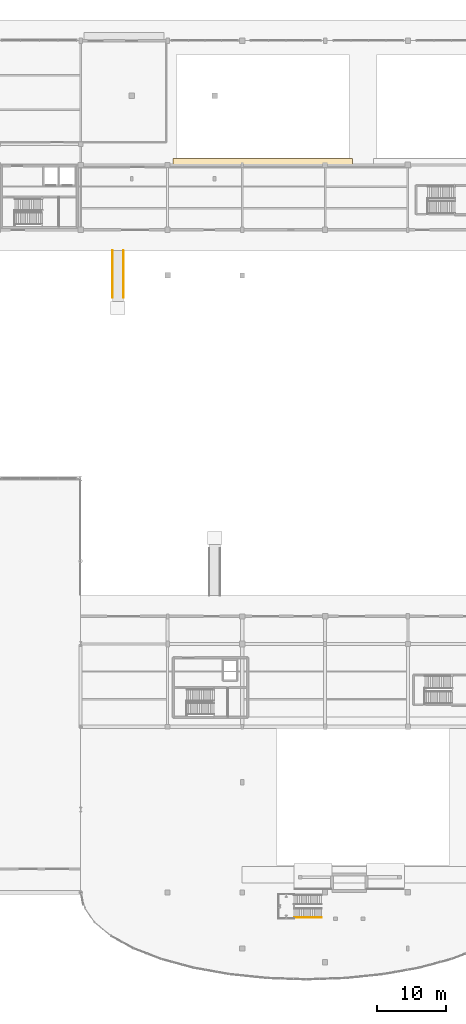
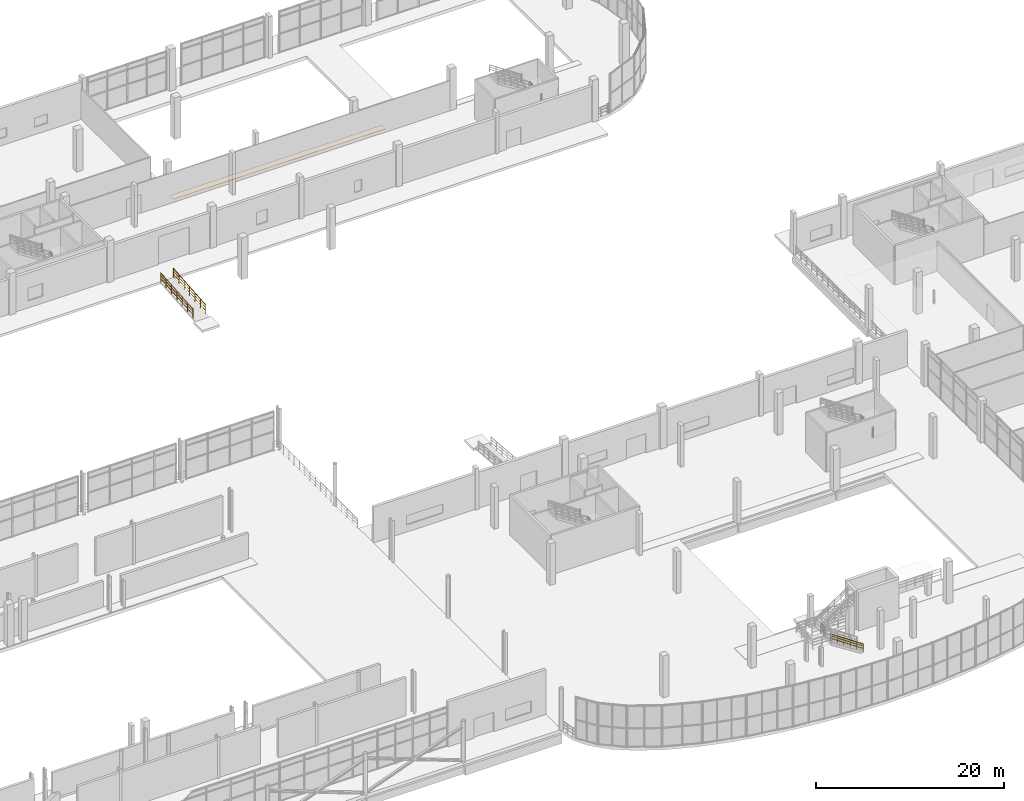
# One storey, part 78 of 85: 3 railings, 1 covering.
"""IFC4 building model written with IfcOpenShell, lengths in metres."""

import ifcopenshell
import ifcopenshell.guid

model = None  # the IFC model being written
_history = None  # IfcOwnerHistory: only IFC2X3 demands one
_inside = {}  # id of a spatial element -> (the spatial element, [elements in it])
_under = {}  # id of a project, library or spatial element -> (it, [spatial elements below it])
_declared = {}  # id of a project -> (the project, [libraries it declares])
_typed = {}  # id of a type object -> (the type object, [elements of that type])
_made_of = {}  # id of a material, layer set ... -> (it, [elements and type objects made of it])


def new_model(schema):
    """Start an empty IFC model of exactly this schema.

    Asked for "IFC4X3", IfcOpenShell would pick the latest addendum, in which some entities
    have other attributes; the version numbers below select the first issue.
    IFC2X3 requires an IfcOwnerHistory on every rooted entity: one is made here for all.
    """
    global model, _history
    if schema == "IFC4X3":
        model = ifcopenshell.file(schema_version=(4, 3, 0, 0))
    else:
        model = ifcopenshell.file(schema=schema)
    _inside.clear()
    _under.clear()
    _declared.clear()
    _typed.clear()
    _made_of.clear()
    _history = None
    if model.schema == "IFC2X3":
        org = make("IfcOrganization", Name="unknown")
        user = make(
            "IfcPersonAndOrganization",
            ThePerson=make("IfcPerson", FamilyName="unknown"),
            TheOrganization=org,
        )
        app = make(
            "IfcApplication",
            ApplicationDeveloper=org,
            Version="unknown",
            ApplicationFullName="unknown",
            ApplicationIdentifier="unknown",
        )
        _history = make(
            "IfcOwnerHistory",
            OwningUser=user,
            OwningApplication=app,
            ChangeAction="ADDED",
            CreationDate=0,
        )
    return model


def make(cls, **values):
    """One entity of the class cls with the attributes given. An attribute that is None is left unset."""
    return model.create_entity(
        cls, **{name: value for name, value in values.items() if value is not None}
    )


def rooted(cls, **values):
    """An entity with a GlobalId (a new one), such as an element, a storey or a relation."""
    return make(cls, GlobalId=ifcopenshell.guid.new(), OwnerHistory=_history, **values)


def si_unit(unit_type, name, prefix=None):
    """IfcSIUnit, for example si_unit("LENGTHUNIT", "METRE", prefix="MILLI")."""
    return make("IfcSIUnit", UnitType=unit_type, Prefix=prefix, Name=name)


def assignment(units):
    """IfcUnitAssignment: the units of a project."""
    return None if units is None else make("IfcUnitAssignment", Units=units)


def point(xyz):
    """IfcCartesianPoint."""
    return None if xyz is None else make("IfcCartesianPoint", Coordinates=xyz)


def direction(xyz):
    """IfcDirection."""
    return None if xyz is None else make("IfcDirection", DirectionRatios=xyz)


def frame(location, z_axis=None, x_axis=None):
    """IfcAxis2Placement3D, a coordinate frame: its origin and axes. An axis left out is left unset."""
    return make(
        "IfcAxis2Placement3D",
        Location=point(location),
        Axis=direction(z_axis),
        RefDirection=direction(x_axis),
    )


def frame_2d(location, x_axis=None):
    """IfcAxis2Placement2D, a coordinate frame in the plane: its origin and x axis."""
    return make(
        "IfcAxis2Placement2D", Location=point(location), RefDirection=direction(x_axis)
    )


def origin():
    """The frame at (0, 0, 0) with its axes left unset."""
    return frame((0.0, 0.0, 0.0))


def origin_2d():
    """The frame at (0, 0) in the plane with its x axis left unset."""
    return frame_2d((0.0, 0.0))


def place(relative_to, where):
    """IfcLocalPlacement: puts the frame where relative to a parent placement (None: the world)."""
    return make(
        "IfcLocalPlacement", PlacementRelTo=relative_to, RelativePlacement=where
    )


def context(
    kind, dimensions, precision=None, world=None, true_north=None, identifier=None
):
    """IfcGeometricRepresentationContext, for example the 3D "Model" context."""
    return make(
        "IfcGeometricRepresentationContext",
        ContextIdentifier=identifier,
        ContextType=kind,
        CoordinateSpaceDimension=dimensions,
        Precision=precision,
        WorldCoordinateSystem=world,
        TrueNorth=true_north,
    )


def subcontext(parent, identifier, kind, view, scale=None):
    """IfcGeometricRepresentationSubContext, for example "Body" below "Model"."""
    return make(
        "IfcGeometricRepresentationSubContext",
        ContextIdentifier=identifier,
        ContextType=kind,
        ParentContext=parent,
        TargetScale=scale,
        TargetView=view,
    )


def project(units=None, contexts=None):
    """IfcProject with its units and contexts."""
    return rooted(
        "IfcProject",
        Name="project",
        RepresentationContexts=contexts,
        UnitsInContext=assignment(units),
    )


def spatial(cls, under=None, at=None, **own):
    """A site, building, storey or space (cls), placed at a placement, below another one or the project."""
    s = rooted(cls, ObjectPlacement=at, **own)
    if under is not None:
        _under.setdefault(under.id(), (under, []))[1].append(s)
    return s


def profile(cls, at=None, kind="AREA", **sizes):
    """A parametric profile (cls). Its sizes go by their IFC names, for example OverallWidth=200.0."""
    return make(cls, ProfileType=kind, Position=at, **sizes)


def rectangle(**sizes):
    """IfcRectangleProfileDef."""
    return profile("IfcRectangleProfileDef", **sizes)


def circle(**sizes):
    """IfcCircleProfileDef."""
    return profile("IfcCircleProfileDef", **sizes)


def extrude(swept, where, along, depth):
    """IfcExtrudedAreaSolid: the profile swept, set in the frame where, extruded along a direction by depth."""
    return make(
        "IfcExtrudedAreaSolid",
        SweptArea=swept,
        Position=where,
        ExtrudedDirection=direction(along),
        Depth=depth,
    )


def shape(context_of_items, identifier, shape_type, items):
    """IfcShapeRepresentation: the items that make up one representation, for example the "Body"."""
    return make(
        "IfcShapeRepresentation",
        ContextOfItems=context_of_items,
        RepresentationIdentifier=identifier,
        RepresentationType=shape_type,
        Items=items,
    )


def material(Name=None, Category=None):
    """IfcMaterial."""
    return make("IfcMaterial", Name=Name, Category=Category)


def layer(
    of_material, thickness, ventilated=None, Name=None, Category=None, Priority=None
):
    """IfcMaterialLayer: one layer of a wall or slab, of a material (None: an air gap)."""
    return make(
        "IfcMaterialLayer",
        Material=of_material,
        LayerThickness=thickness,
        IsVentilated=ventilated,
        Name=Name,
        Category=Category,
        Priority=Priority,
    )


def layer_set(layers, Name=None):
    """IfcMaterialLayerSet."""
    return make("IfcMaterialLayerSet", MaterialLayers=layers, LayerSetName=Name)


def made_of(thing, what):
    """Note that an element or type object is made of a material, layer set ...; save() writes the relation."""
    if what is not None:
        _made_of.setdefault(what.id(), (what, []))[1].append(thing)
    return thing


def type_object(cls, material=None, **own):
    """A type object (cls), such as IfcWallType, which elements share."""
    return made_of(rooted(cls, **own), material)


def element(
    cls,
    number,
    at=None,
    inside=None,
    cuts=None,
    type_object=None,
    material=None,
    context=None,
    identifier="Body",
    shape_type=None,
    held_by="IfcProductDefinitionShape",
    body=None,
    shapes=None,
    **own,
):
    """One element of the class cls, such as IfcWall. Its Tag is "e" and its number.

    at: its placement. inside: the storey or other place that contains it. cuts: it is an
    opening in that element (IfcRelVoidsElement). A single representation is given by context,
    identifier, shape_type and body (its items); several are given by shapes. held_by: the class
    of the entity that holds the representations. save() writes the other relations.
    """
    e = rooted(cls, Tag="e%d" % number, ObjectPlacement=at, **own)
    if body is not None:
        shapes = [shape(context, identifier, shape_type, body)]
    if shapes is not None:
        e.Representation = make(held_by, Representations=shapes)
    if inside is not None:
        _inside.setdefault(inside.id(), (inside, []))[1].append(e)
    if cuts is not None:
        rooted(
            "IfcRelVoidsElement", RelatingBuildingElement=cuts, RelatedOpeningElement=e
        )
    if type_object is not None:
        _typed.setdefault(type_object.id(), (type_object, []))[1].append(e)
    return made_of(e, material)


def aggregate(whole, parts):
    """IfcRelAggregates: a whole, such as a stair, and the parts it consists of."""
    return rooted("IfcRelAggregates", RelatingObject=whole, RelatedObjects=parts)


def save(model, path):
    """Write the relations noted so far, then the file.

    IfcRelAggregates (storeys below a building ...), IfcRelContainedInSpatialStructure (elements
    in a storey), IfcRelDefinesByType, IfcRelAssociatesMaterial and IfcRelDeclares: one each for
    every whole, place, type object, material and project.
    """
    for whole, parts in _under.values():
        aggregate(whole, parts)
    for where, things in _inside.values():
        rooted(
            "IfcRelContainedInSpatialStructure",
            RelatedElements=things,
            RelatingStructure=where,
        )
    for kind, things in _typed.values():
        rooted("IfcRelDefinesByType", RelatedObjects=things, RelatingType=kind)
    for what, things in _made_of.values():
        rooted("IfcRelAssociatesMaterial", RelatedObjects=things, RelatingMaterial=what)
    for by, libraries in _declared.values():
        rooted("IfcRelDeclares", RelatingContext=by, RelatedDefinitions=libraries)
    model.write(path)


model = new_model("IFC4")

# Units and contexts
model_context = context("Model", 3, precision=1e-05, world=origin(), true_north=direction((0.0, 1.0)))
body_context = subcontext(model_context, "Body", "Model", "MODEL_VIEW")
ifc_project = project(units=[si_unit("LENGTHUNIT", "METRE"), si_unit("AREAUNIT", "SQUARE_METRE"), si_unit("VOLUMEUNIT", "CUBIC_METRE"), si_unit("PLANEANGLEUNIT", "RADIAN"), si_unit("MASSUNIT", "GRAM", prefix="KILO"), si_unit("THERMODYNAMICTEMPERATUREUNIT", "KELVIN"), si_unit("POWERUNIT", "WATT")], contexts=[model_context])

# Site, building, storey
site_placement = place(None, origin())
site = spatial("IfcSite", under=ifc_project, at=site_placement, CompositionType="ELEMENT")
building_placement = place(site_placement, origin())
building = spatial("IfcBuilding", under=site, at=building_placement, Name="Solmara Park Aquatics Centre", CompositionType="ELEMENT")
storey_placement = place(building_placement, origin())
storey = spatial("IfcBuildingStorey", under=building, at=storey_placement, Name="L00", CompositionType="ELEMENT", Elevation=0.0)

# Covering
ifc_material_1 = material(Name="Anti-Slip Seafoam Ceramic Pool Deck Tile", Category="ceramic")
ifc_layer_1 = layer(ifc_material_1, 0.030029296875, Name="Anti-Slip Seafoam Ceramic Pool Deck Tile")
ifc_layer_set_1 = layer_set([ifc_layer_1], Name="Anti-Slip Seafoam Ceramic Pool Deck Tile")
covering_type = type_object("IfcCoveringType", Name="ARC-COV-TILE", PredefinedType="FLOORING", material=ifc_layer_set_1)
covering_placement = place(storey_placement, frame((123.0, 118.5, 0.0), z_axis=(0.0, 0.0, 1.0), x_axis=(1.0, 0.0, 0.0)))
element("IfcCovering", 1, at=covering_placement, inside=storey, type_object=covering_type, Name="Seafoam Anti-Slip Pool Deck Tile 05", PredefinedType="FLOORING", context=body_context, shape_type="SweptSolid", body=[
    extrude(rectangle(XDim=26.0, YDim=0.800048828125, at=origin_2d()), origin(), (0.0, 0.0, 1.0), 0.030029296875),
])

# Railings
ifc_material_2 = material(Name="Brushed Marine-Grade Stainless Steel 316L Handrail", Category="steel")
ifc_layer_2 = layer(ifc_material_2, 0.044921875, Name="Brushed Marine-Grade Stainless Steel 316L Handrail")
ifc_layer_set_2 = layer_set([ifc_layer_2], Name="Brushed Marine-Grade Stainless Steel 316L Handrail")
railing_type_1 = type_object("IfcRailingType", Name="ARC-RL-HND090", PredefinedType="HANDRAIL", material=ifc_layer_set_2)
railing_placement = place(storey_placement, frame((131.5, 8.9599609375, 0.168701171875)))
element("IfcRailing", 2, at=railing_placement, inside=storey, type_object=railing_type_1, Name="Diving Tower Platform Stair DT-01 Flight 1 Outer Handrail", PredefinedType="HANDRAIL", context=body_context, shape_type="SweptSolid", body=[
    extrude(circle(Radius=0.02392578125, at=origin_2d()), frame((0.0, 0.0, 0.89599609375), z_axis=(-0.827204215732, 0.0, 0.561901401916), x_axis=(0.0, -1.0, 0.0)), (0.0, 0.0, 1.0), 4.805419921875),
    extrude(circle(Radius=0.01416015625, at=origin_2d()), frame((0.0, 0.0, 0.322021484375), z_axis=(-0.827204215732, 0.0, 0.561901401916), x_axis=(0.0, -1.0, 0.0)), (0.0, 0.0, 1.0), 4.805419921875),
    extrude(circle(Radius=0.01416015625, at=origin_2d()), frame((0.0, 0.0, 0.62548828125), z_axis=(-0.827204215732, 0.0, 0.561901401916), x_axis=(0.0, -1.0, 0.0)), (0.0, 0.0, 1.0), 4.805419921875),
    extrude(circle(Radius=0.02099609375, at=origin_2d()), origin(), (0.0, 0.0, 1.0), 0.871826171875),
    extrude(circle(Radius=0.02099609375, at=origin_2d()), frame((-0.794921875, 0.0, 0.5400390625)), (0.0, 0.0, 1.0), 0.871826171875),
    extrude(circle(Radius=0.02099609375, at=origin_2d()), frame((-1.590087890625, 0.0, 1.080078125)), (0.0, 0.0, 1.0), 0.871826171875),
    extrude(circle(Radius=0.02099609375, at=origin_2d()), frame((-2.385009765625, 0.0, 1.6201171875)), (0.0, 0.0, 1.0), 0.871826171875),
    extrude(circle(Radius=0.02099609375, at=origin_2d()), frame((-3.18017578125, 0.0, 2.16015625)), (0.0, 0.0, 1.0), 0.871826171875),
    extrude(circle(Radius=0.02099609375, at=origin_2d()), frame((-3.97509765625, 0.0, 2.7001953125)), (0.0, 0.0, 1.0), 0.871826171875),
])
ifc_material_3 = material(Name="Brushed Marine-Grade Stainless Steel 316L Ramp Handrail", Category="steel")
ifc_layer_3 = layer(ifc_material_3, 0.044921875, Name="Brushed Marine-Grade Stainless Steel 316L Ramp Handrail")
ifc_layer_set_3 = layer_set([ifc_layer_3], Name="Brushed Marine-Grade Stainless Steel 316L Ramp Handrail")
railing_type_2 = type_object("IfcRailingType", Name="ARC-RL-RMP090", PredefinedType="GUARDRAIL", material=ifc_layer_set_3)
for number, where, name in (
    (3, (102.780029296875, 98.75, -0.548095703125), "Training Pool Hydrotherapy Deck Ramp Handrail 1"),
    (4, (101.219970703125, 98.75, -0.548095703125), "Training Pool Hydrotherapy Deck Ramp Handrail 2"),
):
    element("IfcRailing", number, at=place(storey_placement, frame(where)), inside=storey, type_object=railing_type_2, Name=name, PredefinedType="GUARDRAIL", context=body_context, shape_type="SweptSolid", body=[
        extrude(circle(Radius=0.02392578125, at=origin_2d()), frame((0.0, 0.0, 1.1357421875), z_axis=(0.0, 0.996814261787, 0.079757930633), x_axis=(-1.0, 0.0, 0.0)), (0.0, 0.0, 1.0), 6.8720703125),
        extrude(circle(Radius=0.01416015625, at=origin_2d()), frame((0.0, 0.0, 0.406005859375), z_axis=(0.0, 0.996814261787, 0.079757930633), x_axis=(-1.0, 0.0, 0.0)), (0.0, 0.0, 1.0), 6.8720703125),
        extrude(circle(Radius=0.01416015625, at=origin_2d()), frame((0.0, 0.0, 0.788818359375), z_axis=(0.0, 0.996814261787, 0.079757930633), x_axis=(-1.0, 0.0, 0.0)), (0.0, 0.0, 1.0), 6.8720703125),
        extrude(circle(Radius=0.02099609375, at=origin_2d()), origin(), (0.0, 0.0, 1.0), 1.11181640625),
        extrude(circle(Radius=0.02099609375, at=origin_2d()), frame((0.0, 1.1416015625, 0.09130859375)), (0.0, 0.0, 1.0), 1.11181640625),
        extrude(circle(Radius=0.02099609375, at=origin_2d()), frame((0.0, 2.283447265625, 0.1826171875)), (0.0, 0.0, 1.0), 1.11181640625),
        extrude(circle(Radius=0.02099609375, at=origin_2d()), frame((0.0, 3.425048828125, 0.27392578125)), (0.0, 0.0, 1.0), 1.11181640625),
        extrude(circle(Radius=0.02099609375, at=origin_2d()), frame((0.0, 4.566650390625, 0.365478515625)), (0.0, 0.0, 1.0), 1.11181640625),
        extrude(circle(Radius=0.02099609375, at=origin_2d()), frame((0.0, 5.70849609375, 0.456787109375)), (0.0, 0.0, 1.0), 1.11181640625),
        extrude(circle(Radius=0.02099609375, at=origin_2d()), frame((0.0, 6.85009765625, 0.548095703125)), (0.0, 0.0, 1.0), 1.11181640625),
    ])

save(model, "model.ifc")
